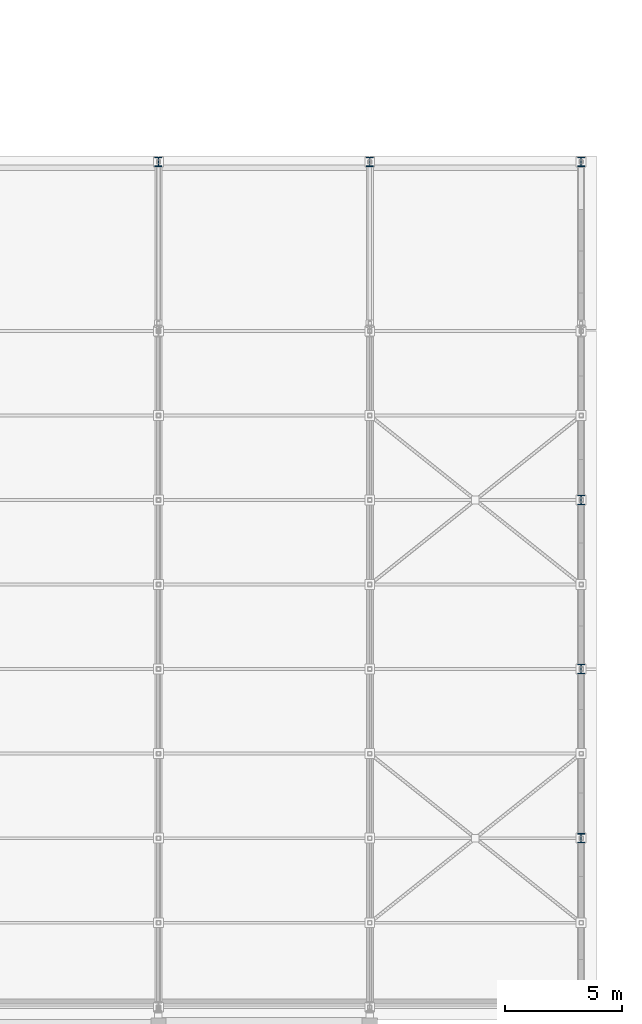
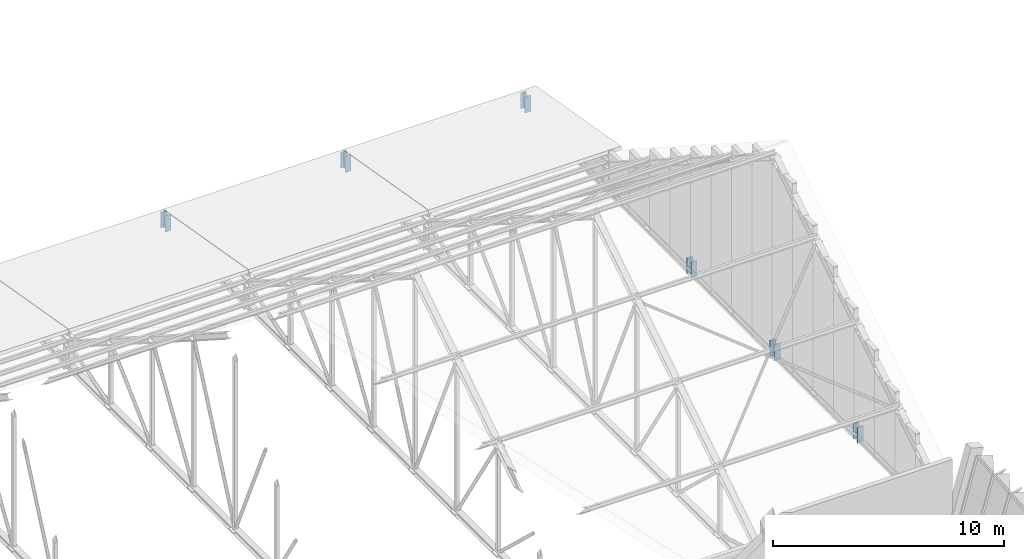
# One storey, part 11 of 182: 6 columns.
"""IFC4 building model written with IfcOpenShell, lengths in metres."""

from ifc_helpers import new_model, si_unit, direction, frame, origin, origin_2d, place, context, subcontext, project, spatial, i_section, extrude, material, material_profile, profile_set, type_object, element, save


model = new_model("IFC4")

# Units and contexts
model_context = context("Model", 3, precision=1e-05, world=origin(), true_north=direction((0.0, 1.0)))
body_context = subcontext(model_context, "Body", "Model", "MODEL_VIEW")
ifc_project = project(units=[si_unit("LENGTHUNIT", "METRE"), si_unit("AREAUNIT", "SQUARE_METRE"), si_unit("VOLUMEUNIT", "CUBIC_METRE"), si_unit("PLANEANGLEUNIT", "RADIAN"), si_unit("MASSUNIT", "GRAM", prefix="KILO")], contexts=[model_context])

# Site, building, storey
site_placement = place(None, origin())
site = spatial("IfcSite", under=ifc_project, at=site_placement, CompositionType="ELEMENT")
building_placement = place(site_placement, origin())
building = spatial("IfcBuilding", under=site, at=building_placement, Name="Chiffa Square Polytechnic", CompositionType="ELEMENT")
storey_placement = place(building_placement, frame((0.0, 0.0, 9.60009765625)))
storey = spatial("IfcBuildingStorey", under=building, at=storey_placement, Name="L02", CompositionType="ELEMENT", Elevation=9.60009765625)

# Columns
ifc_material = material(Name="Steel S355", Category="steel")
ifc_material_profile = material_profile(ifc_material, i_section(OverallWidth=0.300048828125, OverallDepth=0.39990234375, WebThickness=0.013427734375, FlangeThickness=0.02392578125, FilletRadius=0.027099609375, at=origin_2d()), Name="HEB 400")
ifc_profile_set = profile_set([ifc_material_profile], Name="Steel S355")
column_type = type_object("IfcColumnType", Name="COL-STL-HEB400", PredefinedType="COLUMN", material=ifc_profile_set)
for number, where, z_axis, x_axis, name in (
    (1, (157.199951171875, 94.199951171875, 0.0), (0.0, 0.0, 1.0), (1.0, 0.0, 0.0), "Workshop roof column C-V2-L02-1572-0942"),
    (2, (166.199951171875, 94.199951171875, 0.0), (0.0, 0.0, 1.0), (1.0, 0.0, 0.0), "Workshop roof column C-V2-L02-1662-0942"),
    (3, (175.199951171875, 65.39990234375, 0.0), (0.0, 0.0, 1.0), (1.0, 0.0, 0.0), "Workshop roof column C-V2-L02-1752-0654"),
    (4, (175.199951171875, 72.60009765625, 0.0), (0.0, 0.0, 1.0), (1.0, 0.0, 0.0), "Workshop roof column C-V2-L02-1752-0726"),
    (5, (175.199951171875, 79.800048828125, 0.0), (0.0, 0.0, 1.0), (1.0, 0.0, 0.0), "Workshop roof column C-V2-L02-1752-0798"),
    (6, (175.199951171875, 94.199951171875, 0.0), (0.0, 0.0, 1.0), (1.0, 0.0, 0.0), "Workshop roof column C-V2-L02-1752-0942"),
):
    element("IfcColumn", number, at=place(storey_placement, frame(where, z_axis=z_axis, x_axis=x_axis)), inside=storey, type_object=column_type, Name=name, PredefinedType="COLUMN", context=body_context, shape_type="SweptSolid", body=[
        extrude(i_section(OverallWidth=0.300048828125, OverallDepth=0.39990234375, WebThickness=0.013427734375, FlangeThickness=0.02392578125, FilletRadius=0.027099609375, at=origin_2d()), origin(), (0.0, 0.0, 1.0), 0.849853515625),
    ])

save(model, "model.ifc")
